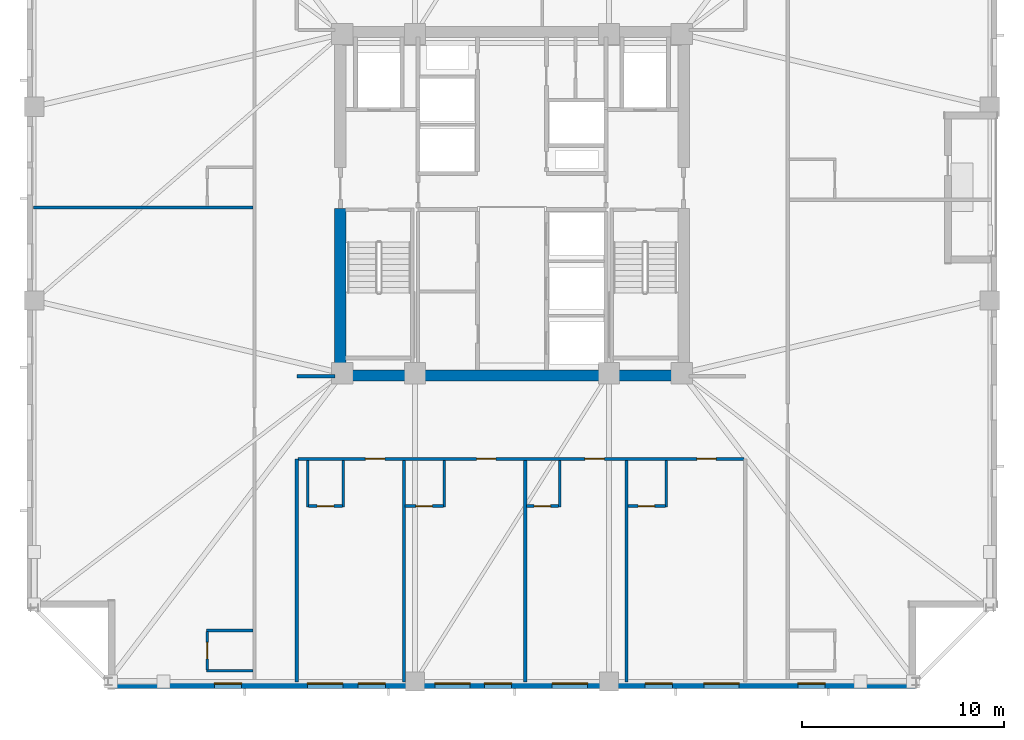
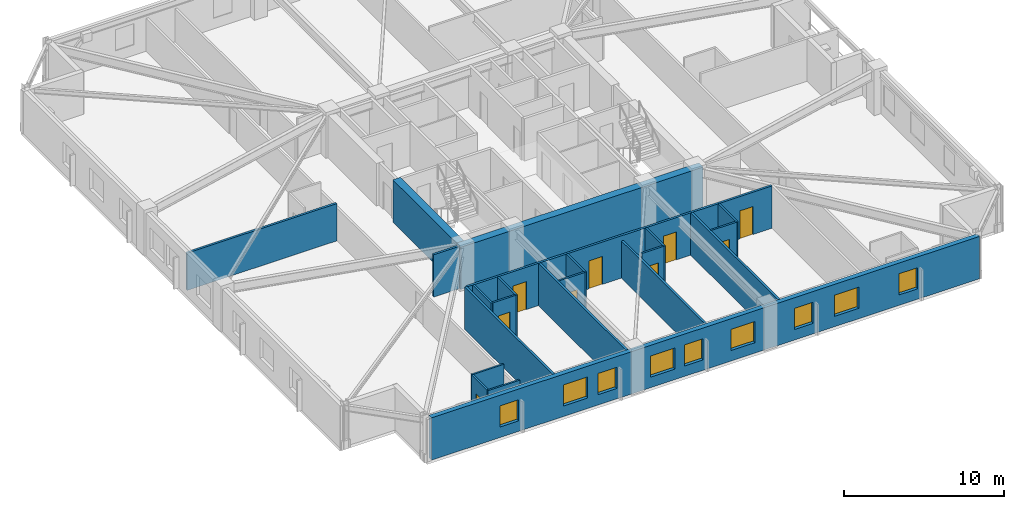
# One storey, part 2 of 11: 22 walls, 9 doors, 9 windows, 18 openings.
"""IFC4 building model written with IfcOpenShell, lengths in metres."""

from ifc_helpers import new_model, si_unit, direction, frame, frame_2d, origin, place, context, subcontext, project, spatial, rectangle, extrude, material, layer, layer_set, type_object, element, fill, save


model = new_model("IFC4")

# Units and contexts
model_context = context("Model", 3, precision=1e-05, world=origin(), true_north=direction((0.0, 1.0)))
body_context = subcontext(model_context, "Body", "Model", "MODEL_VIEW")
ifc_project = project(units=[si_unit("LENGTHUNIT", "METRE"), si_unit("AREAUNIT", "SQUARE_METRE"), si_unit("VOLUMEUNIT", "CUBIC_METRE"), si_unit("PLANEANGLEUNIT", "RADIAN"), si_unit("MASSUNIT", "GRAM", prefix="KILO")], contexts=[model_context])

# Site, building, storey
site_placement = place(None, origin())
site = spatial("IfcSite", under=ifc_project, at=site_placement, CompositionType="ELEMENT")
building_placement = place(site_placement, origin())
building = spatial("IfcBuilding", under=site, at=building_placement, Name="Cairnveth Concourse Tower", CompositionType="ELEMENT")
storey_placement = place(building_placement, frame((0.0, 0.0, 190.0)))
storey = spatial("IfcBuildingStorey", under=building, at=storey_placement, Name="L52", CompositionType="ELEMENT", Elevation=190.0)

# Walls
ifc_material_1 = material(Name="Gypsum Plasterboard Partition", Category="gypsum")
ifc_layer_1 = layer(ifc_material_1, 0.159912109375)
ifc_layer_set_1 = layer_set([ifc_layer_1], Name="Gypsum Plasterboard Partition")
wall_type_1 = type_object("IfcWallType", Name="ACOUSTIC PARTY WALL 180", PredefinedType="PARTITIONING", material=ifc_layer_set_1)
wall_1_placement = place(storey_placement, frame((41.35009765625, 15.324951171875, 0.0), z_axis=(0.0, 0.0, 1.0), x_axis=(0.0, 1.0, 0.0)))
element("IfcWall", 1, at=wall_1_placement, inside=storey, type_object=wall_type_1, Name="Interior Wall IW-L52-038", PredefinedType="PARTITIONING", context=body_context, shape_type="SweptSolid", body=[
    extrude(rectangle(XDim=11.03515625, YDim=0.159912109375, at=frame_2d((5.517578125, 0.0))), origin(), (0.0, 0.0, 1.0), 3.239990234375),
])
wall_2_placement = place(storey_placement, frame((41.35009765625, 30.449951171875, 0.0), z_axis=(0.0, 0.0, 1.0), x_axis=(1.0, 0.0, 0.0)))
element("IfcWall", 2, at=wall_2_placement, inside=storey, type_object=wall_type_1, Name="Interior Wall IW-L52-040", PredefinedType="PARTITIONING", context=body_context, shape_type="SweptSolid", body=[
    extrude(rectangle(XDim=1.885009765625, YDim=0.159912109375, at=frame_2d((0.9423828125, 0.0))), origin(), (0.0, 0.0, 1.0), 3.239990234375),
])

# Wall, openings, doors
wall_3_placement = place(storey_placement, frame((41.4150390625, 26.360107421875, 0.0), z_axis=(0.0, 0.0, 1.0), x_axis=(1.0, 0.0, 0.0)))
wall_3 = element("IfcWall", 3, at=wall_3_placement, inside=storey, type_object=wall_type_1, Name="Interior Wall IW-L52-047", PredefinedType="PARTITIONING", context=body_context, shape_type="SweptSolid", body=[
    extrude(rectangle(XDim=22.070068359375, YDim=0.159912109375, at=frame_2d((11.03515625, 0.0))), origin(), (0.0, 0.0, 1.0), 3.239990234375),
])
opening_1_placement = place(wall_3_placement, frame((3.330810546875, 0.0, 0.0)))
opening_1 = element("IfcOpeningElement", 4, at=opening_1_placement, cuts=wall_3, Name="Opening ID09", PredefinedType="OPENING", context=body_context, shape_type="SweptSolid", body=[
    extrude(rectangle(XDim=0.9599609375, YDim=2.14990234375, at=frame_2d((0.47998046875, 1.074951171875))), frame((0.0, 0.08984375, 0.0), z_axis=(0.0, -1.0, 0.0), x_axis=(1.0, 0.0, 0.0)), (0.0, 0.0, 1.0), 0.179931640625),
])
opening_2_placement = place(wall_3_placement, frame((8.830078125, 0.0, 0.0)))
opening_2 = element("IfcOpeningElement", 5, at=opening_2_placement, cuts=wall_3, Name="Opening ID09", PredefinedType="OPENING", context=body_context, shape_type="SweptSolid", body=[
    extrude(rectangle(XDim=0.9599609375, YDim=2.14990234375, at=frame_2d((0.47998046875, 1.074951171875))), frame((0.0, 0.08984375, 0.0), z_axis=(0.0, -1.0, 0.0), x_axis=(1.0, 0.0, 0.0)), (0.0, 0.0, 1.0), 0.179931640625),
])
opening_3_placement = place(wall_3_placement, frame((14.1923828125, 0.0, 0.0)))
opening_3 = element("IfcOpeningElement", 6, at=opening_3_placement, cuts=wall_3, Name="Opening ID09", PredefinedType="OPENING", context=body_context, shape_type="SweptSolid", body=[
    extrude(rectangle(XDim=0.9599609375, YDim=2.14990234375, at=frame_2d((0.47998046875, 1.074951171875))), frame((0.0, 0.08984375, 0.0), z_axis=(0.0, -1.0, 0.0), x_axis=(1.0, 0.0, 0.0)), (0.0, 0.0, 1.0), 0.179931640625),
])
opening_4_placement = place(wall_3_placement, frame((19.735107421875, 0.0, 0.0)))
opening_4 = element("IfcOpeningElement", 7, at=opening_4_placement, cuts=wall_3, Name="Opening ID09", PredefinedType="OPENING", context=body_context, shape_type="SweptSolid", body=[
    extrude(rectangle(XDim=0.9599609375, YDim=2.14990234375, at=frame_2d((0.47998046875, 1.074951171875))), frame((0.0, 0.08984375, 0.0), z_axis=(0.0, -1.0, 0.0), x_axis=(1.0, 0.0, 0.0)), (0.0, 0.0, 1.0), 0.179931640625),
])
ifc_material_2 = material(Name="Solid Core Hardwood Timber Leaf", Category="wood")
door_type_1 = type_object("IfcDoorType", Name="HOTEL ENTRANCE DOOR 960X2150", OperationType="NOTDEFINED", PredefinedType="DOOR", material=ifc_material_2)
door_1_placement = place(opening_1_placement, origin())
door_1 = element("IfcDoor", 8, at=door_1_placement, inside=storey, type_object=door_type_1, Name="Hotel Room Door L52-S1", OperationType="SINGLE_SWING_RIGHT", OverallHeight=2.14990234375, OverallWidth=0.9599609375, PredefinedType="DOOR", context=body_context, shape_type="SweptSolid", body=[
    extrude(rectangle(XDim=0.9599609375, YDim=2.14990234375, at=frame_2d((0.47998046875, 1.074951171875))), frame((0.0, 0.02490234375, 0.0), z_axis=(0.0, -1.0, 0.0), x_axis=(1.0, 0.0, 0.0)), (0.0, 0.0, 1.0), 0.050048828125),
])
fill(opening_1, door_1)
door_2_placement = place(opening_2_placement, origin())
door_2 = element("IfcDoor", 9, at=door_2_placement, inside=storey, type_object=door_type_1, Name="Hotel Room Door L52-S2", OperationType="SINGLE_SWING_RIGHT", OverallHeight=2.14990234375, OverallWidth=0.9599609375, PredefinedType="DOOR", context=body_context, shape_type="SweptSolid", body=[
    extrude(rectangle(XDim=0.9599609375, YDim=2.14990234375, at=frame_2d((0.47998046875, 1.074951171875))), frame((0.0, 0.02490234375, 0.0), z_axis=(0.0, -1.0, 0.0), x_axis=(1.0, 0.0, 0.0)), (0.0, 0.0, 1.0), 0.050048828125),
])
fill(opening_2, door_2)
door_3_placement = place(opening_3_placement, origin())
door_3 = element("IfcDoor", 10, at=door_3_placement, inside=storey, type_object=door_type_1, Name="Hotel Room Door L52-S3", OperationType="SINGLE_SWING_RIGHT", OverallHeight=2.14990234375, OverallWidth=0.9599609375, PredefinedType="DOOR", context=body_context, shape_type="SweptSolid", body=[
    extrude(rectangle(XDim=0.9599609375, YDim=2.14990234375, at=frame_2d((0.47998046875, 1.074951171875))), frame((0.0, 0.02490234375, 0.0), z_axis=(0.0, -1.0, 0.0), x_axis=(1.0, 0.0, 0.0)), (0.0, 0.0, 1.0), 0.050048828125),
])
fill(opening_3, door_3)
door_4_placement = place(opening_4_placement, origin())
door_4 = element("IfcDoor", 11, at=door_4_placement, inside=storey, type_object=door_type_1, Name="Hotel Room Door L52-S4", OperationType="SINGLE_SWING_RIGHT", OverallHeight=2.14990234375, OverallWidth=0.9599609375, PredefinedType="DOOR", context=body_context, shape_type="SweptSolid", body=[
    extrude(rectangle(XDim=0.9599609375, YDim=2.14990234375, at=frame_2d((0.47998046875, 1.074951171875))), frame((0.0, 0.02490234375, 0.0), z_axis=(0.0, -1.0, 0.0), x_axis=(1.0, 0.0, 0.0)), (0.0, 0.0, 1.0), 0.050048828125),
])
fill(opening_4, door_4)

# Walls
wall_4_placement = place(storey_placement, frame((46.6474609375, 15.324951171875, 0.0), z_axis=(0.0, 0.0, 1.0), x_axis=(0.0, 1.0, 0.0)))
element("IfcWall", 12, at=wall_4_placement, inside=storey, type_object=wall_type_1, Name="Interior Wall IW-L52-053", PredefinedType="PARTITIONING", context=body_context, shape_type="SweptSolid", body=[
    extrude(rectangle(XDim=10.955078125, YDim=0.159912109375, at=frame_2d((5.4775390625, 0.0))), origin(), (0.0, 0.0, 1.0), 3.239990234375),
])
wall_5_placement = place(storey_placement, frame((52.652587890625, 15.324951171875, 0.0), z_axis=(0.0, 0.0, 1.0), x_axis=(0.0, 1.0, 0.0)))
element("IfcWall", 13, at=wall_5_placement, inside=storey, type_object=wall_type_1, Name="Interior Wall IW-L52-056", PredefinedType="PARTITIONING", context=body_context, shape_type="SweptSolid", body=[
    extrude(rectangle(XDim=10.955078125, YDim=0.159912109375, at=frame_2d((5.4775390625, 0.0))), origin(), (0.0, 0.0, 1.0), 2.85595703125),
])
wall_6_placement = place(storey_placement, frame((57.66748046875, 15.324951171875, 0.0), z_axis=(0.0, 0.0, 1.0), x_axis=(0.0, 1.0, 0.0)))
element("IfcWall", 14, at=wall_6_placement, inside=storey, type_object=wall_type_1, Name="Interior Wall IW-L52-059", PredefinedType="PARTITIONING", context=body_context, shape_type="SweptSolid", body=[
    extrude(rectangle(XDim=10.955078125, YDim=0.159912109375, at=frame_2d((5.4775390625, 0.0))), origin(), (0.0, 0.0, 1.0), 3.239990234375),
])
wall_7_placement = place(storey_placement, frame((28.324951171875, 38.809814453125, 0.0), z_axis=(0.0, 0.0, 1.0), x_axis=(1.0, 0.0, 0.0)))
element("IfcWall", 15, at=wall_7_placement, inside=storey, type_object=wall_type_1, Name="Interior Wall IW-L52-065", PredefinedType="PARTITIONING", context=body_context, shape_type="SweptSolid", body=[
    extrude(rectangle(XDim=10.844970703125, YDim=0.159912109375, at=frame_2d((5.42236328125, 0.0))), origin(), (0.0, 0.0, 1.0), 2.85595703125),
])
ifc_material_3 = material(Name="Concrete N80 (80 MPa)", Category="concrete")
ifc_layer_2 = layer(ifc_material_3, 0.550048828125)
ifc_layer_set_2 = layer_set([ifc_layer_2], Name="Concrete N80 (80 MPa)")
wall_type_2 = type_object("IfcWallType", Name="CORE SHEAR WALL 550", PredefinedType="SHEAR", material=ifc_layer_set_2)
wall_8_placement = place(storey_placement, frame((43.22509765625, 30.5, 0.0), z_axis=(0.0, 0.0, 1.0), x_axis=(1.0, 0.0, 0.0)))
element("IfcWall", 16, at=wall_8_placement, inside=storey, type_object=wall_type_2, Name="Core South Shear Wall L52", PredefinedType="SHEAR", context=body_context, shape_type="SweptSolid", body=[
    extrude(rectangle(XDim=17.5498046875, YDim=0.550048828125, at=frame_2d((8.77490234375, 0.0))), origin(), (0.0, 0.0, 1.0), 3.239990234375),
])
wall_9_placement = place(storey_placement, frame((43.5, 30.764892578125, 0.0), z_axis=(0.0, 0.0, 1.0), x_axis=(0.0, 1.0, 0.0)))
element("IfcWall", 17, at=wall_9_placement, inside=storey, type_object=wall_type_2, Name="Core West Shear Wall S L52", PredefinedType="SHEAR", context=body_context, shape_type="SweptSolid", body=[
    extrude(rectangle(XDim=7.985107421875, YDim=0.550048828125, at=frame_2d((3.99267578125, 0.0))), origin(), (0.0, 0.0, 1.0), 3.239990234375),
])
ifc_layer_3 = layer(ifc_material_1, 0.1298828125)
ifc_layer_set_3 = layer_set([ifc_layer_3], Name="Gypsum Plasterboard Partition")
wall_type_3 = type_object("IfcWallType", Name="WET AREA PARTITION 140", PredefinedType="PLUMBINGWALL", material=ifc_layer_set_3)
for number, where, z_axis, x_axis, name in (
    (18, (41.8798828125, 23.97998046875, 0.0), (0.0, 0.0, 1.0), (0.0, 1.0, 0.0), "Interior Wall IW-L52-050"),
    (19, (43.654052734375, 23.97998046875, 0.0), (0.0, 0.0, 1.0), (0.0, 1.0, 0.0), "Interior Wall IW-L52-051"),
):
    element("IfcWall", number, at=place(storey_placement, frame(where, z_axis=z_axis, x_axis=x_axis)), inside=storey, type_object=wall_type_3, Name=name, PredefinedType="PLUMBINGWALL", context=body_context, shape_type="SweptSolid", body=[
        extrude(rectangle(XDim=2.31494140625, YDim=0.1298828125, at=frame_2d((1.157470703125, 0.0))), origin(), (0.0, 0.0, 1.0), 3.239990234375),
    ])

# Wall, opening, door
wall_10_placement = place(storey_placement, frame((41.929931640625, 24.030029296875, 0.0), z_axis=(0.0, 0.0, 1.0), x_axis=(1.0, 0.0, 0.0)))
wall_10 = element("IfcWall", 20, at=wall_10_placement, inside=storey, type_object=wall_type_3, Name="Interior Wall IW-L52-052", PredefinedType="PLUMBINGWALL", context=body_context, shape_type="SweptSolid", body=[
    extrude(rectangle(XDim=1.674072265625, YDim=0.1298828125, at=frame_2d((0.8369140625, 0.0))), origin(), (0.0, 0.0, 1.0), 3.239990234375),
])
opening_5_placement = place(wall_10_placement, frame((0.427001953125, 0.0, 0.0)))
opening_5 = element("IfcOpeningElement", 21, at=opening_5_placement, cuts=wall_10, Name="Opening ID22", PredefinedType="OPENING", context=body_context, shape_type="SweptSolid", body=[
    extrude(rectangle(XDim=0.820068359375, YDim=2.10009765625, at=frame_2d((0.41015625, 1.050048828125))), frame((0.0, 0.074951171875, 0.0), z_axis=(0.0, -1.0, 0.0), x_axis=(1.0, 0.0, 0.0)), (0.0, 0.0, 1.0), 0.14990234375),
])
door_type_2 = type_object("IfcDoorType", Name="INTERIOR WC DOOR 820X2100", OperationType="NOTDEFINED", PredefinedType="DOOR", material=ifc_material_2)
door_5_placement = place(opening_5_placement, origin())
door_5 = element("IfcDoor", 22, at=door_5_placement, inside=storey, type_object=door_type_2, Name="En-Suite Door L52-S1", OperationType="SINGLE_SWING_LEFT", OverallHeight=2.10009765625, OverallWidth=0.820068359375, PredefinedType="DOOR", context=body_context, shape_type="SweptSolid", body=[
    extrude(rectangle(XDim=0.820068359375, YDim=2.10009765625, at=frame_2d((0.41015625, 1.050048828125))), frame((0.0, 0.02490234375, 0.0), z_axis=(0.0, -1.0, 0.0), x_axis=(1.0, 0.0, 0.0)), (0.0, 0.0, 1.0), 0.050048828125),
])
fill(opening_5, door_5)

# Wall
wall_11_placement = place(storey_placement, frame((48.6474609375, 23.97998046875, 0.0), z_axis=(0.0, 0.0, 1.0), x_axis=(0.0, 1.0, 0.0)))
element("IfcWall", 23, at=wall_11_placement, inside=storey, type_object=wall_type_3, Name="Interior Wall IW-L52-054", PredefinedType="PLUMBINGWALL", context=body_context, shape_type="SweptSolid", body=[
    extrude(rectangle(XDim=2.31494140625, YDim=0.1298828125, at=frame_2d((1.157470703125, 0.0))), origin(), (0.0, 0.0, 1.0), 3.239990234375),
])

# Wall, opening, door
wall_12_placement = place(storey_placement, frame((46.71240234375, 24.030029296875, 0.0), z_axis=(0.0, 0.0, 1.0), x_axis=(1.0, 0.0, 0.0)))
wall_12 = element("IfcWall", 24, at=wall_12_placement, inside=storey, type_object=wall_type_3, Name="Interior Wall IW-L52-055", PredefinedType="PLUMBINGWALL", context=body_context, shape_type="SweptSolid", body=[
    extrude(rectangle(XDim=1.885009765625, YDim=0.1298828125, at=frame_2d((0.9423828125, 0.0))), origin(), (0.0, 0.0, 1.0), 3.239990234375),
])
opening_6_placement = place(wall_12_placement, frame((0.52490234375, 0.0, 0.0)))
opening_6 = element("IfcOpeningElement", 25, at=opening_6_placement, cuts=wall_12, Name="Opening ID22", PredefinedType="OPENING", context=body_context, shape_type="SweptSolid", body=[
    extrude(rectangle(XDim=0.820068359375, YDim=2.10009765625, at=frame_2d((0.41015625, 1.050048828125))), frame((0.0, 0.074951171875, 0.0), z_axis=(0.0, -1.0, 0.0), x_axis=(1.0, 0.0, 0.0)), (0.0, 0.0, 1.0), 0.14990234375),
])
door_6_placement = place(opening_6_placement, origin())
door_6 = element("IfcDoor", 26, at=door_6_placement, inside=storey, type_object=door_type_2, Name="En-Suite Door L52-S2", OperationType="SINGLE_SWING_LEFT", OverallHeight=2.10009765625, OverallWidth=0.820068359375, PredefinedType="DOOR", context=body_context, shape_type="SweptSolid", body=[
    extrude(rectangle(XDim=0.820068359375, YDim=2.10009765625, at=frame_2d((0.41015625, 1.050048828125))), frame((0.0, 0.02490234375, 0.0), z_axis=(0.0, -1.0, 0.0), x_axis=(1.0, 0.0, 0.0)), (0.0, 0.0, 1.0), 0.050048828125),
])
fill(opening_6, door_6)

# Wall
wall_13_placement = place(storey_placement, frame((54.357666015625, 23.97998046875, 0.0), z_axis=(0.0, 0.0, 1.0), x_axis=(0.0, 1.0, 0.0)))
element("IfcWall", 27, at=wall_13_placement, inside=storey, type_object=wall_type_3, Name="Interior Wall IW-L52-057", PredefinedType="PLUMBINGWALL", context=body_context, shape_type="SweptSolid", body=[
    extrude(rectangle(XDim=2.31494140625, YDim=0.1298828125, at=frame_2d((1.157470703125, 0.0))), origin(), (0.0, 0.0, 1.0), 3.239990234375),
])

# Wall, opening, door
wall_14_placement = place(storey_placement, frame((52.717529296875, 24.030029296875, 0.0), z_axis=(0.0, 0.0, 1.0), x_axis=(1.0, 0.0, 0.0)))
wall_14 = element("IfcWall", 28, at=wall_14_placement, inside=storey, type_object=wall_type_3, Name="Interior Wall IW-L52-058", PredefinedType="PLUMBINGWALL", context=body_context, shape_type="SweptSolid", body=[
    extrude(rectangle(XDim=1.590087890625, YDim=0.1298828125, at=frame_2d((0.794921875, 0.0))), origin(), (0.0, 0.0, 1.0), 3.239990234375),
])
opening_7_placement = place(wall_14_placement, frame((0.37744140625, 0.0, 0.0)))
opening_7 = element("IfcOpeningElement", 29, at=opening_7_placement, cuts=wall_14, Name="Opening ID22", PredefinedType="OPENING", context=body_context, shape_type="SweptSolid", body=[
    extrude(rectangle(XDim=0.820068359375, YDim=2.10009765625, at=frame_2d((0.41015625, 1.050048828125))), frame((0.0, 0.074951171875, 0.0), z_axis=(0.0, -1.0, 0.0), x_axis=(1.0, 0.0, 0.0)), (0.0, 0.0, 1.0), 0.14990234375),
])
door_7_placement = place(opening_7_placement, origin())
door_7 = element("IfcDoor", 30, at=door_7_placement, inside=storey, type_object=door_type_2, Name="En-Suite Door L52-S3", OperationType="SINGLE_SWING_LEFT", OverallHeight=2.10009765625, OverallWidth=0.820068359375, PredefinedType="DOOR", context=body_context, shape_type="SweptSolid", body=[
    extrude(rectangle(XDim=0.820068359375, YDim=2.10009765625, at=frame_2d((0.41015625, 1.050048828125))), frame((0.0, 0.02490234375, 0.0), z_axis=(0.0, -1.0, 0.0), x_axis=(1.0, 0.0, 0.0)), (0.0, 0.0, 1.0), 0.050048828125),
])
fill(opening_7, door_7)

# Wall
wall_15_placement = place(storey_placement, frame((59.640380859375, 23.97998046875, 0.0), z_axis=(0.0, 0.0, 1.0), x_axis=(0.0, 1.0, 0.0)))
element("IfcWall", 31, at=wall_15_placement, inside=storey, type_object=wall_type_3, Name="Interior Wall IW-L52-060", PredefinedType="PLUMBINGWALL", context=body_context, shape_type="SweptSolid", body=[
    extrude(rectangle(XDim=2.31494140625, YDim=0.1298828125, at=frame_2d((1.157470703125, 0.0))), origin(), (0.0, 0.0, 1.0), 3.239990234375),
])

# Wall, opening, door
wall_16_placement = place(storey_placement, frame((57.732421875, 24.030029296875, 0.0), z_axis=(0.0, 0.0, 1.0), x_axis=(1.0, 0.0, 0.0)))
wall_16 = element("IfcWall", 32, at=wall_16_placement, inside=storey, type_object=wall_type_3, Name="Interior Wall IW-L52-061", PredefinedType="PLUMBINGWALL", context=body_context, shape_type="SweptSolid", body=[
    extrude(rectangle(XDim=1.85791015625, YDim=0.1298828125, at=frame_2d((0.928955078125, 0.0))), origin(), (0.0, 0.0, 1.0), 3.239990234375),
])
opening_8_placement = place(wall_16_placement, frame((0.511474609375, 0.0, 0.0)))
opening_8 = element("IfcOpeningElement", 33, at=opening_8_placement, cuts=wall_16, Name="Opening ID22", PredefinedType="OPENING", context=body_context, shape_type="SweptSolid", body=[
    extrude(rectangle(XDim=0.820068359375, YDim=2.10009765625, at=frame_2d((0.41015625, 1.050048828125))), frame((0.0, 0.074951171875, 0.0), z_axis=(0.0, -1.0, 0.0), x_axis=(1.0, 0.0, 0.0)), (0.0, 0.0, 1.0), 0.14990234375),
])
door_8_placement = place(opening_8_placement, origin())
door_8 = element("IfcDoor", 34, at=door_8_placement, inside=storey, type_object=door_type_2, Name="En-Suite Door L52-S4", OperationType="SINGLE_SWING_LEFT", OverallHeight=2.10009765625, OverallWidth=0.820068359375, PredefinedType="DOOR", context=body_context, shape_type="SweptSolid", body=[
    extrude(rectangle(XDim=0.820068359375, YDim=2.10009765625, at=frame_2d((0.41015625, 1.050048828125))), frame((0.0, 0.02490234375, 0.0), z_axis=(0.0, -1.0, 0.0), x_axis=(1.0, 0.0, 0.0)), (0.0, 0.0, 1.0), 0.050048828125),
])
fill(opening_8, door_8)

# Walls
for number, where, z_axis, x_axis, name in (
    (35, (36.8701171875, 15.8701171875, 0.0), (0.0, 0.0, 1.0), (1.0, 0.0, 0.0), "Interior Wall IW-L52-062"),
    (36, (36.8701171875, 17.8701171875, 0.0), (0.0, 0.0, 1.0), (1.0, 0.0, 0.0), "Interior Wall IW-L52-063"),
):
    element("IfcWall", number, at=place(storey_placement, frame(where, z_axis=z_axis, x_axis=x_axis)), inside=storey, type_object=wall_type_3, Name=name, PredefinedType="PLUMBINGWALL", context=body_context, shape_type="SweptSolid", body=[
        extrude(rectangle(XDim=2.31494140625, YDim=0.1298828125, at=frame_2d((1.157470703125, 0.0))), origin(), (0.0, 0.0, 1.0), 3.239990234375),
    ])

# Wall, opening, door
wall_17_placement = place(storey_placement, frame((36.919921875, 15.919921875, 0.0), z_axis=(0.0, 0.0, 1.0), x_axis=(0.0, 1.0, 0.0)))
wall_17 = element("IfcWall", 37, at=wall_17_placement, inside=storey, type_object=wall_type_3, Name="Interior Wall IW-L52-064", PredefinedType="PLUMBINGWALL", context=body_context, shape_type="SweptSolid", body=[
    extrude(rectangle(XDim=1.900146484375, YDim=0.1298828125, at=frame_2d((0.9501953125, 0.0))), origin(), (0.0, 0.0, 1.0), 3.239990234375),
])
opening_9_placement = place(wall_17_placement, frame((0.5400390625, 0.0, 0.0)))
opening_9 = element("IfcOpeningElement", 38, at=opening_9_placement, cuts=wall_17, Name="Opening ID22", PredefinedType="OPENING", context=body_context, shape_type="SweptSolid", body=[
    extrude(rectangle(XDim=0.820068359375, YDim=2.10009765625, at=frame_2d((0.41015625, 1.050048828125))), frame((0.0, 0.074951171875, 0.0), z_axis=(0.0, -1.0, 0.0), x_axis=(1.0, 0.0, 0.0)), (0.0, 0.0, 1.0), 0.14990234375),
])
door_9_placement = place(opening_9_placement, origin())
door_9 = element("IfcDoor", 39, at=door_9_placement, inside=storey, type_object=door_type_2, Name="En-Suite Door L52-W1", OperationType="SINGLE_SWING_LEFT", OverallHeight=2.10009765625, OverallWidth=0.820068359375, PredefinedType="DOOR", context=body_context, shape_type="SweptSolid", body=[
    extrude(rectangle(XDim=0.820068359375, YDim=2.10009765625, at=frame_2d((0.41015625, 1.050048828125))), frame((0.0, 0.02490234375, 0.0), z_axis=(0.0, -1.0, 0.0), x_axis=(1.0, 0.0, 0.0)), (0.0, 0.0, 1.0), 0.050048828125),
])
fill(opening_9, door_9)

# Wall, openings, windows
ifc_material_4 = material(Name="Hawthorn Red-Ochre Fired Clay Brick Masonry", Category="masonry")
ifc_layer_4 = layer(ifc_material_4, 0.340087890625)
ifc_layer_set_4 = layer_set([ifc_layer_4], Name="Hawthorn Red-Ochre Fired Clay Brick Masonry")
wall_type_4 = type_object("IfcWallType", Name="ZONE 2 BRICK PIER SPANDREL WALL 340", PredefinedType="SOLIDWALL", material=ifc_layer_set_4)
wall_18_placement = place(storey_placement, frame((72.0, 15.169921875, 0.0), z_axis=(0.0, 0.0, 1.0), x_axis=(-1.0, 0.0, 0.0)))
wall_18 = element("IfcWall", 40, at=wall_18_placement, inside=storey, type_object=wall_type_4, Name="Exterior Wall EW-L52-S03", PredefinedType="SOLIDWALL", context=body_context, shape_type="SweptSolid", body=[
    extrude(rectangle(XDim=39.681884765625, YDim=0.340087890625, at=frame_2d((19.8408203125, 0.0))), origin(), (0.0, 0.0, 1.0), 3.239990234375),
])
opening_10_placement = place(wall_18_placement, frame((4.501708984375, 0.0, 0.800048828125)))
opening_10 = element("IfcOpeningElement", 41, at=opening_10_placement, cuts=wall_18, Name="Opening W02", PredefinedType="OPENING", context=body_context, shape_type="SweptSolid", body=[
    extrude(rectangle(XDim=1.35009765625, YDim=1.6201171875, at=frame_2d((0.675048828125, 0.81005859375))), frame((0.0, 0.179931640625, 0.0), z_axis=(0.0, -1.0, 0.0), x_axis=(1.0, 0.0, 0.0)), (0.0, 0.0, 1.0), 0.360107421875),
])
opening_11_placement = place(wall_18_placement, frame((8.75537109375, 0.0, 0.800048828125)))
opening_11 = element("IfcOpeningElement", 42, at=opening_11_placement, cuts=wall_18, Name="Opening W06", PredefinedType="OPENING", context=body_context, shape_type="SweptSolid", body=[
    extrude(rectangle(XDim=1.75, YDim=1.6201171875, at=frame_2d((0.875, 0.81005859375))), frame((0.0, 0.179931640625, 0.0), z_axis=(0.0, -1.0, 0.0), x_axis=(1.0, 0.0, 0.0)), (0.0, 0.0, 1.0), 0.360107421875),
])
opening_12_placement = place(wall_18_placement, frame((12.058837890625, 0.0, 0.800048828125)))
opening_12 = element("IfcOpeningElement", 43, at=opening_12_placement, cuts=wall_18, Name="Opening W02", PredefinedType="OPENING", context=body_context, shape_type="SweptSolid", body=[
    extrude(rectangle(XDim=1.35009765625, YDim=1.6201171875, at=frame_2d((0.675048828125, 0.81005859375))), frame((0.0, 0.179931640625, 0.0), z_axis=(0.0, -1.0, 0.0), x_axis=(1.0, 0.0, 0.0)), (0.0, 0.0, 1.0), 0.360107421875),
])
opening_13_placement = place(wall_18_placement, frame((16.262451171875, 0.0, 0.800048828125)))
opening_13 = element("IfcOpeningElement", 44, at=opening_13_placement, cuts=wall_18, Name="Opening W06", PredefinedType="OPENING", context=body_context, shape_type="SweptSolid", body=[
    extrude(rectangle(XDim=1.75, YDim=1.6201171875, at=frame_2d((0.875, 0.81005859375))), frame((0.0, 0.179931640625, 0.0), z_axis=(0.0, -1.0, 0.0), x_axis=(1.0, 0.0, 0.0)), (0.0, 0.0, 1.0), 0.360107421875),
])
opening_14_placement = place(wall_18_placement, frame((20.01611328125, 0.0, 0.800048828125)))
opening_14 = element("IfcOpeningElement", 45, at=opening_14_placement, cuts=wall_18, Name="Opening W02", PredefinedType="OPENING", context=body_context, shape_type="SweptSolid", body=[
    extrude(rectangle(XDim=1.35009765625, YDim=1.6201171875, at=frame_2d((0.675048828125, 0.81005859375))), frame((0.0, 0.179931640625, 0.0), z_axis=(0.0, -1.0, 0.0), x_axis=(1.0, 0.0, 0.0)), (0.0, 0.0, 1.0), 0.360107421875),
])
opening_15_placement = place(wall_18_placement, frame((22.069580078125, 0.0, 0.800048828125)))
opening_15 = element("IfcOpeningElement", 46, at=opening_15_placement, cuts=wall_18, Name="Opening W06", PredefinedType="OPENING", context=body_context, shape_type="SweptSolid", body=[
    extrude(rectangle(XDim=1.75, YDim=1.6201171875, at=frame_2d((0.875, 0.81005859375))), frame((0.0, 0.179931640625, 0.0), z_axis=(0.0, -1.0, 0.0), x_axis=(1.0, 0.0, 0.0)), (0.0, 0.0, 1.0), 0.360107421875),
])
opening_16_placement = place(wall_18_placement, frame((26.273193359375, 0.0, 0.800048828125)))
opening_16 = element("IfcOpeningElement", 47, at=opening_16_placement, cuts=wall_18, Name="Opening W02", PredefinedType="OPENING", context=body_context, shape_type="SweptSolid", body=[
    extrude(rectangle(XDim=1.35009765625, YDim=1.6201171875, at=frame_2d((0.675048828125, 0.81005859375))), frame((0.0, 0.179931640625, 0.0), z_axis=(0.0, -1.0, 0.0), x_axis=(1.0, 0.0, 0.0)), (0.0, 0.0, 1.0), 0.360107421875),
])
opening_17_placement = place(wall_18_placement, frame((28.376708984375, 0.0, 0.800048828125)))
opening_17 = element("IfcOpeningElement", 48, at=opening_17_placement, cuts=wall_18, Name="Opening W06", PredefinedType="OPENING", context=body_context, shape_type="SweptSolid", body=[
    extrude(rectangle(XDim=1.75, YDim=1.6201171875, at=frame_2d((0.875, 0.81005859375))), frame((0.0, 0.179931640625, 0.0), z_axis=(0.0, -1.0, 0.0), x_axis=(1.0, 0.0, 0.0)), (0.0, 0.0, 1.0), 0.360107421875),
])
opening_18_placement = place(wall_18_placement, frame((33.380126953125, 0.0, 0.800048828125)))
opening_18 = element("IfcOpeningElement", 49, at=opening_18_placement, cuts=wall_18, Name="Opening W02", PredefinedType="OPENING", context=body_context, shape_type="SweptSolid", body=[
    extrude(rectangle(XDim=1.35009765625, YDim=1.6201171875, at=frame_2d((0.675048828125, 0.81005859375))), frame((0.0, 0.179931640625, 0.0), z_axis=(0.0, -1.0, 0.0), x_axis=(1.0, 0.0, 0.0)), (0.0, 0.0, 1.0), 0.360107421875),
])
ifc_material_5 = material(Name="Double Glazed Low-E Clear Glass", Category="glass")
window_type_1 = type_object("IfcWindowType", Name="DEEP-SET GOTHIC LANCET WINDOW 1350X1800", PartitioningType="DOUBLE_PANEL_VERTICAL", PredefinedType="WINDOW", material=ifc_material_5)
window_1_placement = place(opening_10_placement, origin())
window_1 = element("IfcWindow", 50, at=window_1_placement, inside=storey, type_object=window_type_1, Name="Gothic Lancet Window L52-3-1", OverallHeight=1.6201171875, OverallWidth=1.35009765625, PartitioningType="SINGLE_PANEL", PredefinedType="WINDOW", context=body_context, shape_type="SweptSolid", body=[
    extrude(rectangle(XDim=1.35009765625, YDim=1.6201171875, at=frame_2d((0.675048828125, 0.81005859375))), frame((0.0, -0.050048828125, 0.0), z_axis=(0.0, -1.0, 0.0), x_axis=(1.0, 0.0, 0.0)), (0.0, 0.0, 1.0), 0.06005859375),
])
fill(opening_10, window_1)
window_2_placement = place(opening_12_placement, origin())
window_2 = element("IfcWindow", 51, at=window_2_placement, inside=storey, type_object=window_type_1, Name="Gothic Lancet Window L52-3-3", OverallHeight=1.6201171875, OverallWidth=1.35009765625, PartitioningType="SINGLE_PANEL", PredefinedType="WINDOW", context=body_context, shape_type="SweptSolid", body=[
    extrude(rectangle(XDim=1.35009765625, YDim=1.6201171875, at=frame_2d((0.675048828125, 0.81005859375))), frame((0.0, -0.050048828125, 0.0), z_axis=(0.0, -1.0, 0.0), x_axis=(1.0, 0.0, 0.0)), (0.0, 0.0, 1.0), 0.06005859375),
])
fill(opening_12, window_2)
window_3_placement = place(opening_14_placement, origin())
window_3 = element("IfcWindow", 52, at=window_3_placement, inside=storey, type_object=window_type_1, Name="Gothic Lancet Window L52-3-5", OverallHeight=1.6201171875, OverallWidth=1.35009765625, PartitioningType="SINGLE_PANEL", PredefinedType="WINDOW", context=body_context, shape_type="SweptSolid", body=[
    extrude(rectangle(XDim=1.35009765625, YDim=1.6201171875, at=frame_2d((0.675048828125, 0.81005859375))), frame((0.0, -0.050048828125, 0.0), z_axis=(0.0, -1.0, 0.0), x_axis=(1.0, 0.0, 0.0)), (0.0, 0.0, 1.0), 0.06005859375),
])
fill(opening_14, window_3)
window_4_placement = place(opening_16_placement, origin())
window_4 = element("IfcWindow", 53, at=window_4_placement, inside=storey, type_object=window_type_1, Name="Gothic Lancet Window L52-3-7", OverallHeight=1.6201171875, OverallWidth=1.35009765625, PartitioningType="SINGLE_PANEL", PredefinedType="WINDOW", context=body_context, shape_type="SweptSolid", body=[
    extrude(rectangle(XDim=1.35009765625, YDim=1.6201171875, at=frame_2d((0.675048828125, 0.81005859375))), frame((0.0, -0.050048828125, 0.0), z_axis=(0.0, -1.0, 0.0), x_axis=(1.0, 0.0, 0.0)), (0.0, 0.0, 1.0), 0.06005859375),
])
fill(opening_16, window_4)
window_5_placement = place(opening_18_placement, origin())
window_5 = element("IfcWindow", 54, at=window_5_placement, inside=storey, type_object=window_type_1, Name="Gothic Lancet Window L52-3-9", OverallHeight=1.6201171875, OverallWidth=1.35009765625, PartitioningType="SINGLE_PANEL", PredefinedType="WINDOW", context=body_context, shape_type="SweptSolid", body=[
    extrude(rectangle(XDim=1.35009765625, YDim=1.6201171875, at=frame_2d((0.675048828125, 0.81005859375))), frame((0.0, -0.050048828125, 0.0), z_axis=(0.0, -1.0, 0.0), x_axis=(1.0, 0.0, 0.0)), (0.0, 0.0, 1.0), 0.06005859375),
])
fill(opening_18, window_5)
window_type_2 = type_object("IfcWindowType", Name="DEEP-SET HOTEL SUITE WINDOW 1750X1800", PartitioningType="DOUBLE_PANEL_VERTICAL", PredefinedType="WINDOW", material=ifc_material_5)
window_6_placement = place(opening_11_placement, origin())
window_6 = element("IfcWindow", 55, at=window_6_placement, inside=storey, type_object=window_type_2, Name="Gothic Lancet Window L52-3-2", OverallHeight=1.6201171875, OverallWidth=1.75, PartitioningType="SINGLE_PANEL", PredefinedType="WINDOW", context=body_context, shape_type="SweptSolid", body=[
    extrude(rectangle(XDim=1.75, YDim=1.6201171875, at=frame_2d((0.875, 0.81005859375))), frame((0.0, -0.050048828125, 0.0), z_axis=(0.0, -1.0, 0.0), x_axis=(1.0, 0.0, 0.0)), (0.0, 0.0, 1.0), 0.06005859375),
])
fill(opening_11, window_6)
window_7_placement = place(opening_13_placement, origin())
window_7 = element("IfcWindow", 56, at=window_7_placement, inside=storey, type_object=window_type_2, Name="Gothic Lancet Window L52-3-4", OverallHeight=1.6201171875, OverallWidth=1.75, PartitioningType="SINGLE_PANEL", PredefinedType="WINDOW", context=body_context, shape_type="SweptSolid", body=[
    extrude(rectangle(XDim=1.75, YDim=1.6201171875, at=frame_2d((0.875, 0.81005859375))), frame((0.0, -0.050048828125, 0.0), z_axis=(0.0, -1.0, 0.0), x_axis=(1.0, 0.0, 0.0)), (0.0, 0.0, 1.0), 0.06005859375),
])
fill(opening_13, window_7)
window_8_placement = place(opening_15_placement, origin())
window_8 = element("IfcWindow", 57, at=window_8_placement, inside=storey, type_object=window_type_2, Name="Gothic Lancet Window L52-3-6", OverallHeight=1.6201171875, OverallWidth=1.75, PartitioningType="SINGLE_PANEL", PredefinedType="WINDOW", context=body_context, shape_type="SweptSolid", body=[
    extrude(rectangle(XDim=1.75, YDim=1.6201171875, at=frame_2d((0.875, 0.81005859375))), frame((0.0, -0.050048828125, 0.0), z_axis=(0.0, -1.0, 0.0), x_axis=(1.0, 0.0, 0.0)), (0.0, 0.0, 1.0), 0.06005859375),
])
fill(opening_15, window_8)
window_9_placement = place(opening_17_placement, origin())
window_9 = element("IfcWindow", 58, at=window_9_placement, inside=storey, type_object=window_type_2, Name="Gothic Lancet Window L52-3-8", OverallHeight=1.6201171875, OverallWidth=1.75, PartitioningType="SINGLE_PANEL", PredefinedType="WINDOW", context=body_context, shape_type="SweptSolid", body=[
    extrude(rectangle(XDim=1.75, YDim=1.6201171875, at=frame_2d((0.875, 0.81005859375))), frame((0.0, -0.050048828125, 0.0), z_axis=(0.0, -1.0, 0.0), x_axis=(1.0, 0.0, 0.0)), (0.0, 0.0, 1.0), 0.06005859375),
])
fill(opening_17, window_9)

save(model, "model.ifc")
